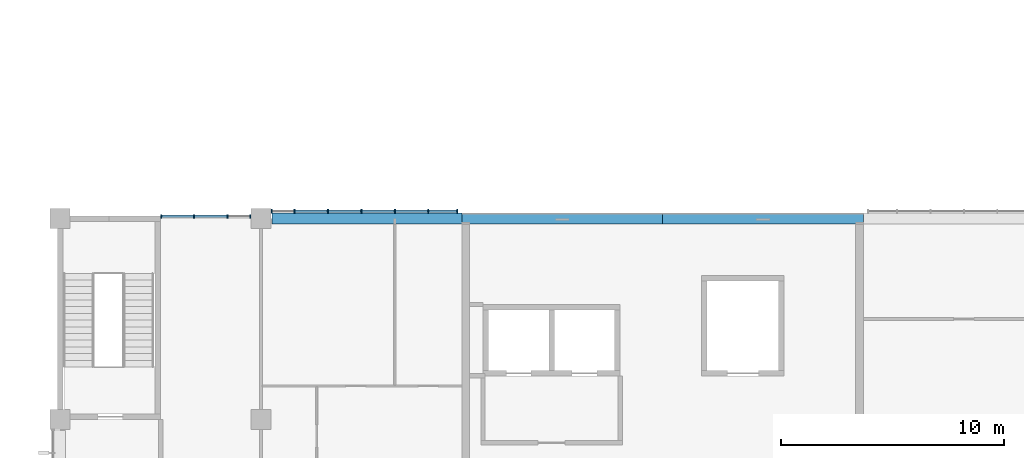
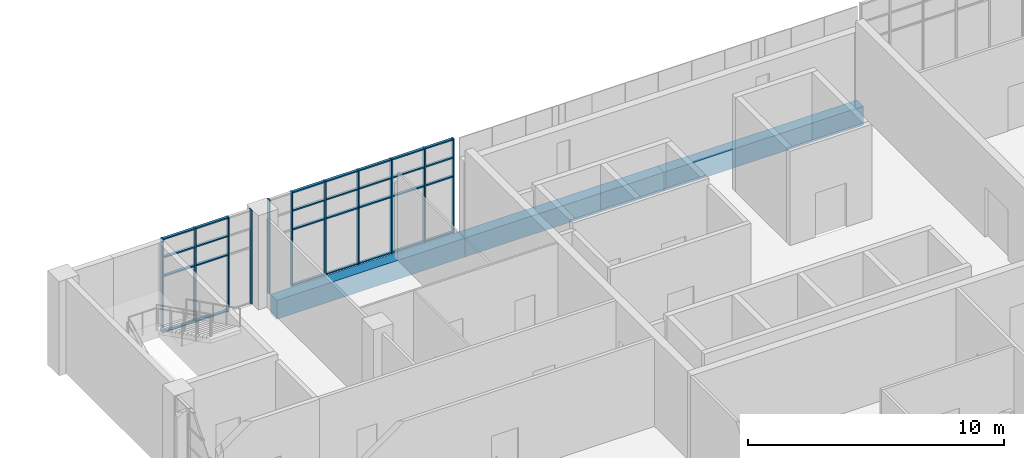
# One storey, part 33 of 106: 39 members, 3 beams, 2 elements without a shape of their own.
"""IFC4 building model written with IfcOpenShell, lengths in metres."""

from ifc_helpers import new_model, si_unit, direction, frame, origin, origin_2d, place, context, subcontext, project, spatial, rectangle, extrude, material, layer, layer_set, material_profile, profile_set, type_object, element, aggregate, save


model = new_model("IFC4")

# Units and contexts
model_context = context("Model", 3, precision=1e-05, world=origin(), true_north=direction((0.0, 1.0)))
body_context = subcontext(model_context, "Body", "Model", "MODEL_VIEW")
ifc_project = project(units=[si_unit("LENGTHUNIT", "METRE"), si_unit("AREAUNIT", "SQUARE_METRE"), si_unit("VOLUMEUNIT", "CUBIC_METRE"), si_unit("PLANEANGLEUNIT", "RADIAN"), si_unit("MASSUNIT", "GRAM", prefix="KILO")], contexts=[model_context])

# Site, building, storey
site_placement = place(None, origin())
site = spatial("IfcSite", under=ifc_project, at=site_placement, CompositionType="ELEMENT")
building_placement = place(site_placement, origin())
building = spatial("IfcBuilding", under=site, at=building_placement, Name="Guidao Yard Department Store", CompositionType="ELEMENT")
storey_placement = place(building_placement, frame((0.0, 0.0, 10.5)))
storey = spatial("IfcBuildingStorey", under=building, at=storey_placement, Name="L02", CompositionType="ELEMENT", Elevation=10.5)

# Curtain wall, members
ifc_material_1 = material(Name="Aluminium and glass", Category="aluminium")
ifc_layer = layer(ifc_material_1, 0.159912109375)
ifc_layer_set = layer_set([ifc_layer], Name="Unitised curtain wall CW4 1500 module")
curtain_wall_type = type_object("IfcCurtainWallType", Name="Unitised curtain wall CW4 1500 module", PredefinedType="NOTDEFINED", material=ifc_layer_set)
curtain_wall_1_placement = place(storey_placement, origin())
curtain_wall_1 = element("IfcCurtainWall", 1, at=curtain_wall_1_placement, inside=storey, type_object=curtain_wall_type, Name="Unitised curtain wall", PredefinedType="NOTDEFINED")
ifc_material_2 = material(Name="Aluminium 6063-T5", Category="aluminium")
ifc_material_profile_1 = material_profile(ifc_material_2, rectangle(XDim=0.06005859375, YDim=0.159912109375, at=origin_2d()), Name="Mullion M1 60 x 160 aluminium pressure plate")
ifc_profile_set_1 = profile_set([ifc_material_profile_1], Name="Aluminium 6063-T5")
member_type_1 = type_object("IfcMemberType", Name="Mullion M1 60 x 160 aluminium pressure plate", PredefinedType="MULLION", material=ifc_profile_set_1)
member_1_placement = place(storey_placement, frame((130.530029296875, 27.10009765625, 0.0), z_axis=(0.0, 0.0, 1.0), x_axis=(1.0, 0.0, 0.0)))
member_1 = element("IfcMember", 2, at=member_1_placement, type_object=member_type_1, Name="CW-OW-L02-06 mullion 1", PredefinedType="MULLION", context=body_context, shape_type="SweptSolid", body=[
    extrude(rectangle(XDim=0.06005859375, YDim=0.159912109375, at=origin_2d()), origin(), (0.0, 0.0, 1.0), 4.5),
])
member_2_placement = place(storey_placement, frame((132.0, 27.10009765625, 0.0), z_axis=(0.0, 0.0, 1.0), x_axis=(1.0, 0.0, 0.0)))
member_2 = element("IfcMember", 3, at=member_2_placement, type_object=member_type_1, Name="CW-OW-L02-06 mullion 2", PredefinedType="MULLION", context=body_context, shape_type="SweptSolid", body=[
    extrude(rectangle(XDim=0.06005859375, YDim=0.159912109375, at=origin_2d()), origin(), (0.0, 0.0, 1.0), 4.5),
])
member_3_placement = place(storey_placement, frame((133.5, 27.10009765625, 0.0), z_axis=(0.0, 0.0, 1.0), x_axis=(1.0, 0.0, 0.0)))
member_3 = element("IfcMember", 4, at=member_3_placement, type_object=member_type_1, Name="CW-OW-L02-06 mullion 3", PredefinedType="MULLION", context=body_context, shape_type="SweptSolid", body=[
    extrude(rectangle(XDim=0.06005859375, YDim=0.159912109375, at=origin_2d()), origin(), (0.0, 0.0, 1.0), 4.5),
])
member_4_placement = place(storey_placement, frame((134.52001953125, 27.10009765625, 0.0), z_axis=(0.0, 0.0, 1.0), x_axis=(1.0, 0.0, 0.0)))
member_4 = element("IfcMember", 5, at=member_4_placement, type_object=member_type_1, Name="CW-OW-L02-06 mullion 4", PredefinedType="MULLION", context=body_context, shape_type="SweptSolid", body=[
    extrude(rectangle(XDim=0.06005859375, YDim=0.159912109375, at=origin_2d()), origin(), (0.0, 0.0, 1.0), 4.5),
])

curtain_wall_2_placement = place(storey_placement, origin())
curtain_wall_2 = element("IfcCurtainWall", 6, at=curtain_wall_2_placement, inside=storey, type_object=curtain_wall_type, Name="Unitised curtain wall", PredefinedType="NOTDEFINED")
member_5_placement = place(storey_placement, frame((135.47998046875, 27.330078125, 0.0), z_axis=(0.0, 0.0, 1.0), x_axis=(1.0, 0.0, 0.0)))
member_5 = element("IfcMember", 7, at=member_5_placement, type_object=member_type_1, Name="CW-OW-L02-07 mullion 1", PredefinedType="MULLION", context=body_context, shape_type="SweptSolid", body=[
    extrude(rectangle(XDim=0.06005859375, YDim=0.159912109375, at=origin_2d()), origin(), (0.0, 0.0, 1.0), 4.5),
])
member_6_placement = place(storey_placement, frame((136.5, 27.330078125, 0.0), z_axis=(0.0, 0.0, 1.0), x_axis=(1.0, 0.0, 0.0)))
member_6 = element("IfcMember", 8, at=member_6_placement, type_object=member_type_1, Name="CW-OW-L02-07 mullion 2", PredefinedType="MULLION", context=body_context, shape_type="SweptSolid", body=[
    extrude(rectangle(XDim=0.06005859375, YDim=0.159912109375, at=origin_2d()), origin(), (0.0, 0.0, 1.0), 4.5),
])
member_7_placement = place(storey_placement, frame((138.0, 27.330078125, 0.0), z_axis=(0.0, 0.0, 1.0), x_axis=(1.0, 0.0, 0.0)))
member_7 = element("IfcMember", 9, at=member_7_placement, type_object=member_type_1, Name="CW-OW-L02-07 mullion 3", PredefinedType="MULLION", context=body_context, shape_type="SweptSolid", body=[
    extrude(rectangle(XDim=0.06005859375, YDim=0.159912109375, at=origin_2d()), origin(), (0.0, 0.0, 1.0), 4.5),
])
member_8_placement = place(storey_placement, frame((139.5, 27.330078125, 0.0), z_axis=(0.0, 0.0, 1.0), x_axis=(1.0, 0.0, 0.0)))
member_8 = element("IfcMember", 10, at=member_8_placement, type_object=member_type_1, Name="CW-OW-L02-07 mullion 4", PredefinedType="MULLION", context=body_context, shape_type="SweptSolid", body=[
    extrude(rectangle(XDim=0.06005859375, YDim=0.159912109375, at=origin_2d()), origin(), (0.0, 0.0, 1.0), 4.5),
])
member_9_placement = place(storey_placement, frame((141.0, 27.330078125, 0.0), z_axis=(0.0, 0.0, 1.0), x_axis=(1.0, 0.0, 0.0)))
member_9 = element("IfcMember", 11, at=member_9_placement, type_object=member_type_1, Name="CW-OW-L02-07 mullion 5", PredefinedType="MULLION", context=body_context, shape_type="SweptSolid", body=[
    extrude(rectangle(XDim=0.06005859375, YDim=0.159912109375, at=origin_2d()), origin(), (0.0, 0.0, 1.0), 4.5),
])
member_10_placement = place(storey_placement, frame((142.5, 27.330078125, 0.0), z_axis=(0.0, 0.0, 1.0), x_axis=(1.0, 0.0, 0.0)))
member_10 = element("IfcMember", 12, at=member_10_placement, type_object=member_type_1, Name="CW-OW-L02-07 mullion 6", PredefinedType="MULLION", context=body_context, shape_type="SweptSolid", body=[
    extrude(rectangle(XDim=0.06005859375, YDim=0.159912109375, at=origin_2d()), origin(), (0.0, 0.0, 1.0), 4.5),
])
member_11_placement = place(storey_placement, frame((143.794921875, 27.330078125, 0.0), z_axis=(0.0, 0.0, 1.0), x_axis=(1.0, 0.0, 0.0)))
member_11 = element("IfcMember", 13, at=member_11_placement, type_object=member_type_1, Name="CW-OW-L02-07 mullion 7", PredefinedType="MULLION", context=body_context, shape_type="SweptSolid", body=[
    extrude(rectangle(XDim=0.06005859375, YDim=0.159912109375, at=origin_2d()), origin(), (0.0, 0.0, 1.0), 4.5),
])

# Beams
ifc_material_3 = material(Name="Concrete C40", Category="concrete")
ifc_material_profile_2 = material_profile(ifc_material_3, rectangle(XDim=0.5, YDim=0.89990234375, at=origin_2d()), Name="Spandrel beam 500 x 900 C40")
ifc_profile_set_2 = profile_set([ifc_material_profile_2], Name="Concrete C40")
beam_type = type_object("IfcBeamType", Name="Spandrel beam 500 x 900 C40", PredefinedType="SPANDREL", material=ifc_profile_set_2)
beam_placement = place(storey_placement, frame((135.5, 27.0, -0.449951171875), z_axis=(1.0, 0.0, 0.0), x_axis=(0.0, 1.0, 0.0)))
element("IfcBeam", 14, at=beam_placement, inside=storey, type_object=beam_type, Name="Beam FB05", PredefinedType="SPANDREL", context=body_context, shape_type="SweptSolid", body=[
    extrude(rectangle(XDim=0.5, YDim=0.89990234375, at=origin_2d()), origin(), (0.0, 0.0, 1.0), 8.5),
])
for number, where, z_axis, x_axis, name in (
    (15, (144.0, 27.0, -0.449951171875), (1.0, 0.0, 0.0), (0.0, 1.0, 0.0), "Beam FB06"),
    (16, (153.0, 27.0, -0.449951171875), (1.0, 0.0, 0.0), (0.0, 1.0, 0.0), "Beam FB07"),
):
    element("IfcBeam", number, at=place(storey_placement, frame(where, z_axis=z_axis, x_axis=x_axis)), inside=storey, type_object=beam_type, Name=name, PredefinedType="SPANDREL", context=body_context, shape_type="SweptSolid", body=[
        extrude(rectangle(XDim=0.5, YDim=0.89990234375, at=origin_2d()), origin(), (0.0, 0.0, 1.0), 9.0),
    ])

# Member
ifc_material_4 = material(Name="Aluminium 6063-T5", Category="aluminium")
ifc_material_profile_3 = material_profile(ifc_material_4, rectangle(XDim=0.1201171875, YDim=0.06005859375, at=origin_2d()), Name="Transom T1 60 x 120 aluminium pressure plate")
ifc_profile_set_3 = profile_set([ifc_material_profile_3], Name="Aluminium 6063-T5")
member_type_2 = type_object("IfcMemberType", Name="Transom T1 60 x 120 aluminium pressure plate", PredefinedType="USERDEFINED", material=ifc_profile_set_3)
member_12_placement = place(storey_placement, frame((130.56005859375, 27.10009765625, 0.030029296875), z_axis=(1.0, 0.0, 0.0), x_axis=(0.0, 1.0, 0.0)))
member_12 = element("IfcMember", 17, at=member_12_placement, type_object=member_type_2, Name="CW-OW-L02-06 transom 1.1", ObjectType="TRANSOM", PredefinedType="USERDEFINED", context=body_context, shape_type="SweptSolid", body=[
    extrude(rectangle(XDim=0.1201171875, YDim=0.06005859375, at=origin_2d()), origin(), (0.0, 0.0, 1.0), 1.409912109375),
])

member_13_placement = place(storey_placement, frame((130.56005859375, 27.10009765625, 2.699951171875), z_axis=(1.0, 0.0, 0.0), x_axis=(0.0, 1.0, 0.0)))
member_13 = element("IfcMember", 18, at=member_13_placement, type_object=member_type_2, Name="CW-OW-L02-06 transom 1.2", ObjectType="TRANSOM", PredefinedType="USERDEFINED", context=body_context, shape_type="SweptSolid", body=[
    extrude(rectangle(XDim=0.1201171875, YDim=0.06005859375, at=origin_2d()), origin(), (0.0, 0.0, 1.0), 1.409912109375),
])

member_14_placement = place(storey_placement, frame((130.56005859375, 27.10009765625, 3.60009765625), z_axis=(1.0, 0.0, 0.0), x_axis=(0.0, 1.0, 0.0)))
member_14 = element("IfcMember", 19, at=member_14_placement, type_object=member_type_2, Name="CW-OW-L02-06 transom 1.3", ObjectType="TRANSOM", PredefinedType="USERDEFINED", context=body_context, shape_type="SweptSolid", body=[
    extrude(rectangle(XDim=0.1201171875, YDim=0.06005859375, at=origin_2d()), origin(), (0.0, 0.0, 1.0), 1.409912109375),
])

member_15_placement = place(storey_placement, frame((130.56005859375, 27.10009765625, 4.469970703125), z_axis=(1.0, 0.0, 0.0), x_axis=(0.0, 1.0, 0.0)))
member_15 = element("IfcMember", 20, at=member_15_placement, type_object=member_type_2, Name="CW-OW-L02-06 transom 1.4", ObjectType="TRANSOM", PredefinedType="USERDEFINED", context=body_context, shape_type="SweptSolid", body=[
    extrude(rectangle(XDim=0.1201171875, YDim=0.06005859375, at=origin_2d()), origin(), (0.0, 0.0, 1.0), 1.409912109375),
])

member_16_placement = place(storey_placement, frame((132.030029296875, 27.10009765625, 0.030029296875), z_axis=(1.0, 0.0, 0.0), x_axis=(0.0, 1.0, 0.0)))
member_16 = element("IfcMember", 21, at=member_16_placement, type_object=member_type_2, Name="CW-OW-L02-06 transom 2.1", ObjectType="TRANSOM", PredefinedType="USERDEFINED", context=body_context, shape_type="SweptSolid", body=[
    extrude(rectangle(XDim=0.1201171875, YDim=0.06005859375, at=origin_2d()), origin(), (0.0, 0.0, 1.0), 1.43994140625),
])

member_17_placement = place(storey_placement, frame((132.030029296875, 27.10009765625, 2.699951171875), z_axis=(1.0, 0.0, 0.0), x_axis=(0.0, 1.0, 0.0)))
member_17 = element("IfcMember", 22, at=member_17_placement, type_object=member_type_2, Name="CW-OW-L02-06 transom 2.2", ObjectType="TRANSOM", PredefinedType="USERDEFINED", context=body_context, shape_type="SweptSolid", body=[
    extrude(rectangle(XDim=0.1201171875, YDim=0.06005859375, at=origin_2d()), origin(), (0.0, 0.0, 1.0), 1.43994140625),
])

member_18_placement = place(storey_placement, frame((132.030029296875, 27.10009765625, 3.60009765625), z_axis=(1.0, 0.0, 0.0), x_axis=(0.0, 1.0, 0.0)))
member_18 = element("IfcMember", 23, at=member_18_placement, type_object=member_type_2, Name="CW-OW-L02-06 transom 2.3", ObjectType="TRANSOM", PredefinedType="USERDEFINED", context=body_context, shape_type="SweptSolid", body=[
    extrude(rectangle(XDim=0.1201171875, YDim=0.06005859375, at=origin_2d()), origin(), (0.0, 0.0, 1.0), 1.43994140625),
])

member_19_placement = place(storey_placement, frame((132.030029296875, 27.10009765625, 4.469970703125), z_axis=(1.0, 0.0, 0.0), x_axis=(0.0, 1.0, 0.0)))
member_19 = element("IfcMember", 24, at=member_19_placement, type_object=member_type_2, Name="CW-OW-L02-06 transom 2.4", ObjectType="TRANSOM", PredefinedType="USERDEFINED", context=body_context, shape_type="SweptSolid", body=[
    extrude(rectangle(XDim=0.1201171875, YDim=0.06005859375, at=origin_2d()), origin(), (0.0, 0.0, 1.0), 1.43994140625),
])

aggregate(curtain_wall_1, [member_1, member_2, member_3, member_4, member_12, member_13, member_14, member_15, member_16, member_17, member_18, member_19])

member_20_placement = place(storey_placement, frame((136.530029296875, 27.330078125, 0.030029296875), z_axis=(1.0, 0.0, 0.0), x_axis=(0.0, 1.0, 0.0)))
member_20 = element("IfcMember", 25, at=member_20_placement, type_object=member_type_2, Name="CW-OW-L02-07 transom 2.1", ObjectType="TRANSOM", PredefinedType="USERDEFINED", context=body_context, shape_type="SweptSolid", body=[
    extrude(rectangle(XDim=0.1201171875, YDim=0.06005859375, at=origin_2d()), origin(), (0.0, 0.0, 1.0), 1.43994140625),
])

member_21_placement = place(storey_placement, frame((136.530029296875, 27.330078125, 2.699951171875), z_axis=(1.0, 0.0, 0.0), x_axis=(0.0, 1.0, 0.0)))
member_21 = element("IfcMember", 26, at=member_21_placement, type_object=member_type_2, Name="CW-OW-L02-07 transom 2.2", ObjectType="TRANSOM", PredefinedType="USERDEFINED", context=body_context, shape_type="SweptSolid", body=[
    extrude(rectangle(XDim=0.1201171875, YDim=0.06005859375, at=origin_2d()), origin(), (0.0, 0.0, 1.0), 1.43994140625),
])

member_22_placement = place(storey_placement, frame((136.530029296875, 27.330078125, 3.60009765625), z_axis=(1.0, 0.0, 0.0), x_axis=(0.0, 1.0, 0.0)))
member_22 = element("IfcMember", 27, at=member_22_placement, type_object=member_type_2, Name="CW-OW-L02-07 transom 2.3", ObjectType="TRANSOM", PredefinedType="USERDEFINED", context=body_context, shape_type="SweptSolid", body=[
    extrude(rectangle(XDim=0.1201171875, YDim=0.06005859375, at=origin_2d()), origin(), (0.0, 0.0, 1.0), 1.43994140625),
])

member_23_placement = place(storey_placement, frame((136.530029296875, 27.330078125, 4.469970703125), z_axis=(1.0, 0.0, 0.0), x_axis=(0.0, 1.0, 0.0)))
member_23 = element("IfcMember", 28, at=member_23_placement, type_object=member_type_2, Name="CW-OW-L02-07 transom 2.4", ObjectType="TRANSOM", PredefinedType="USERDEFINED", context=body_context, shape_type="SweptSolid", body=[
    extrude(rectangle(XDim=0.1201171875, YDim=0.06005859375, at=origin_2d()), origin(), (0.0, 0.0, 1.0), 1.43994140625),
])

member_24_placement = place(storey_placement, frame((138.030029296875, 27.330078125, 0.030029296875), z_axis=(1.0, 0.0, 0.0), x_axis=(0.0, 1.0, 0.0)))
member_24 = element("IfcMember", 29, at=member_24_placement, type_object=member_type_2, Name="CW-OW-L02-07 transom 3.1", ObjectType="TRANSOM", PredefinedType="USERDEFINED", context=body_context, shape_type="SweptSolid", body=[
    extrude(rectangle(XDim=0.1201171875, YDim=0.06005859375, at=origin_2d()), origin(), (0.0, 0.0, 1.0), 1.43994140625),
])

member_25_placement = place(storey_placement, frame((138.030029296875, 27.330078125, 2.699951171875), z_axis=(1.0, 0.0, 0.0), x_axis=(0.0, 1.0, 0.0)))
member_25 = element("IfcMember", 30, at=member_25_placement, type_object=member_type_2, Name="CW-OW-L02-07 transom 3.2", ObjectType="TRANSOM", PredefinedType="USERDEFINED", context=body_context, shape_type="SweptSolid", body=[
    extrude(rectangle(XDim=0.1201171875, YDim=0.06005859375, at=origin_2d()), origin(), (0.0, 0.0, 1.0), 1.43994140625),
])

member_26_placement = place(storey_placement, frame((138.030029296875, 27.330078125, 3.60009765625), z_axis=(1.0, 0.0, 0.0), x_axis=(0.0, 1.0, 0.0)))
member_26 = element("IfcMember", 31, at=member_26_placement, type_object=member_type_2, Name="CW-OW-L02-07 transom 3.3", ObjectType="TRANSOM", PredefinedType="USERDEFINED", context=body_context, shape_type="SweptSolid", body=[
    extrude(rectangle(XDim=0.1201171875, YDim=0.06005859375, at=origin_2d()), origin(), (0.0, 0.0, 1.0), 1.43994140625),
])

member_27_placement = place(storey_placement, frame((138.030029296875, 27.330078125, 4.469970703125), z_axis=(1.0, 0.0, 0.0), x_axis=(0.0, 1.0, 0.0)))
member_27 = element("IfcMember", 32, at=member_27_placement, type_object=member_type_2, Name="CW-OW-L02-07 transom 3.4", ObjectType="TRANSOM", PredefinedType="USERDEFINED", context=body_context, shape_type="SweptSolid", body=[
    extrude(rectangle(XDim=0.1201171875, YDim=0.06005859375, at=origin_2d()), origin(), (0.0, 0.0, 1.0), 1.43994140625),
])

member_28_placement = place(storey_placement, frame((139.530029296875, 27.330078125, 0.030029296875), z_axis=(1.0, 0.0, 0.0), x_axis=(0.0, 1.0, 0.0)))
member_28 = element("IfcMember", 33, at=member_28_placement, type_object=member_type_2, Name="CW-OW-L02-07 transom 4.1", ObjectType="TRANSOM", PredefinedType="USERDEFINED", context=body_context, shape_type="SweptSolid", body=[
    extrude(rectangle(XDim=0.1201171875, YDim=0.06005859375, at=origin_2d()), origin(), (0.0, 0.0, 1.0), 1.43994140625),
])

member_29_placement = place(storey_placement, frame((139.530029296875, 27.330078125, 2.699951171875), z_axis=(1.0, 0.0, 0.0), x_axis=(0.0, 1.0, 0.0)))
member_29 = element("IfcMember", 34, at=member_29_placement, type_object=member_type_2, Name="CW-OW-L02-07 transom 4.2", ObjectType="TRANSOM", PredefinedType="USERDEFINED", context=body_context, shape_type="SweptSolid", body=[
    extrude(rectangle(XDim=0.1201171875, YDim=0.06005859375, at=origin_2d()), origin(), (0.0, 0.0, 1.0), 1.43994140625),
])

member_30_placement = place(storey_placement, frame((139.530029296875, 27.330078125, 3.60009765625), z_axis=(1.0, 0.0, 0.0), x_axis=(0.0, 1.0, 0.0)))
member_30 = element("IfcMember", 35, at=member_30_placement, type_object=member_type_2, Name="CW-OW-L02-07 transom 4.3", ObjectType="TRANSOM", PredefinedType="USERDEFINED", context=body_context, shape_type="SweptSolid", body=[
    extrude(rectangle(XDim=0.1201171875, YDim=0.06005859375, at=origin_2d()), origin(), (0.0, 0.0, 1.0), 1.43994140625),
])

member_31_placement = place(storey_placement, frame((139.530029296875, 27.330078125, 4.469970703125), z_axis=(1.0, 0.0, 0.0), x_axis=(0.0, 1.0, 0.0)))
member_31 = element("IfcMember", 36, at=member_31_placement, type_object=member_type_2, Name="CW-OW-L02-07 transom 4.4", ObjectType="TRANSOM", PredefinedType="USERDEFINED", context=body_context, shape_type="SweptSolid", body=[
    extrude(rectangle(XDim=0.1201171875, YDim=0.06005859375, at=origin_2d()), origin(), (0.0, 0.0, 1.0), 1.43994140625),
])

member_32_placement = place(storey_placement, frame((141.030029296875, 27.330078125, 0.030029296875), z_axis=(1.0, 0.0, 0.0), x_axis=(0.0, 1.0, 0.0)))
member_32 = element("IfcMember", 37, at=member_32_placement, type_object=member_type_2, Name="CW-OW-L02-07 transom 5.1", ObjectType="TRANSOM", PredefinedType="USERDEFINED", context=body_context, shape_type="SweptSolid", body=[
    extrude(rectangle(XDim=0.1201171875, YDim=0.06005859375, at=origin_2d()), origin(), (0.0, 0.0, 1.0), 1.43994140625),
])

member_33_placement = place(storey_placement, frame((141.030029296875, 27.330078125, 2.699951171875), z_axis=(1.0, 0.0, 0.0), x_axis=(0.0, 1.0, 0.0)))
member_33 = element("IfcMember", 38, at=member_33_placement, type_object=member_type_2, Name="CW-OW-L02-07 transom 5.2", ObjectType="TRANSOM", PredefinedType="USERDEFINED", context=body_context, shape_type="SweptSolid", body=[
    extrude(rectangle(XDim=0.1201171875, YDim=0.06005859375, at=origin_2d()), origin(), (0.0, 0.0, 1.0), 1.43994140625),
])

member_34_placement = place(storey_placement, frame((141.030029296875, 27.330078125, 3.60009765625), z_axis=(1.0, 0.0, 0.0), x_axis=(0.0, 1.0, 0.0)))
member_34 = element("IfcMember", 39, at=member_34_placement, type_object=member_type_2, Name="CW-OW-L02-07 transom 5.3", ObjectType="TRANSOM", PredefinedType="USERDEFINED", context=body_context, shape_type="SweptSolid", body=[
    extrude(rectangle(XDim=0.1201171875, YDim=0.06005859375, at=origin_2d()), origin(), (0.0, 0.0, 1.0), 1.43994140625),
])

member_35_placement = place(storey_placement, frame((141.030029296875, 27.330078125, 4.469970703125), z_axis=(1.0, 0.0, 0.0), x_axis=(0.0, 1.0, 0.0)))
member_35 = element("IfcMember", 40, at=member_35_placement, type_object=member_type_2, Name="CW-OW-L02-07 transom 5.4", ObjectType="TRANSOM", PredefinedType="USERDEFINED", context=body_context, shape_type="SweptSolid", body=[
    extrude(rectangle(XDim=0.1201171875, YDim=0.06005859375, at=origin_2d()), origin(), (0.0, 0.0, 1.0), 1.43994140625),
])

member_36_placement = place(storey_placement, frame((142.530029296875, 27.330078125, 0.030029296875), z_axis=(1.0, 0.0, 0.0), x_axis=(0.0, 1.0, 0.0)))
member_36 = element("IfcMember", 41, at=member_36_placement, type_object=member_type_2, Name="CW-OW-L02-07 transom 6.1", ObjectType="TRANSOM", PredefinedType="USERDEFINED", context=body_context, shape_type="SweptSolid", body=[
    extrude(rectangle(XDim=0.1201171875, YDim=0.06005859375, at=origin_2d()), origin(), (0.0, 0.0, 1.0), 1.23486328125),
])

member_37_placement = place(storey_placement, frame((142.530029296875, 27.330078125, 2.699951171875), z_axis=(1.0, 0.0, 0.0), x_axis=(0.0, 1.0, 0.0)))
member_37 = element("IfcMember", 42, at=member_37_placement, type_object=member_type_2, Name="CW-OW-L02-07 transom 6.2", ObjectType="TRANSOM", PredefinedType="USERDEFINED", context=body_context, shape_type="SweptSolid", body=[
    extrude(rectangle(XDim=0.1201171875, YDim=0.06005859375, at=origin_2d()), origin(), (0.0, 0.0, 1.0), 1.23486328125),
])

member_38_placement = place(storey_placement, frame((142.530029296875, 27.330078125, 3.60009765625), z_axis=(1.0, 0.0, 0.0), x_axis=(0.0, 1.0, 0.0)))
member_38 = element("IfcMember", 43, at=member_38_placement, type_object=member_type_2, Name="CW-OW-L02-07 transom 6.3", ObjectType="TRANSOM", PredefinedType="USERDEFINED", context=body_context, shape_type="SweptSolid", body=[
    extrude(rectangle(XDim=0.1201171875, YDim=0.06005859375, at=origin_2d()), origin(), (0.0, 0.0, 1.0), 1.23486328125),
])

member_39_placement = place(storey_placement, frame((142.530029296875, 27.330078125, 4.469970703125), z_axis=(1.0, 0.0, 0.0), x_axis=(0.0, 1.0, 0.0)))
member_39 = element("IfcMember", 44, at=member_39_placement, type_object=member_type_2, Name="CW-OW-L02-07 transom 6.4", ObjectType="TRANSOM", PredefinedType="USERDEFINED", context=body_context, shape_type="SweptSolid", body=[
    extrude(rectangle(XDim=0.1201171875, YDim=0.06005859375, at=origin_2d()), origin(), (0.0, 0.0, 1.0), 1.23486328125),
])

aggregate(curtain_wall_2, [member_5, member_6, member_7, member_8, member_9, member_10, member_11, member_20, member_21, member_22, member_23, member_24, member_25, member_26, member_27, member_28, member_29, member_30, member_31, member_32, member_33, member_34, member_35, member_36, member_37, member_38, member_39])

save(model, "model.ifc")
